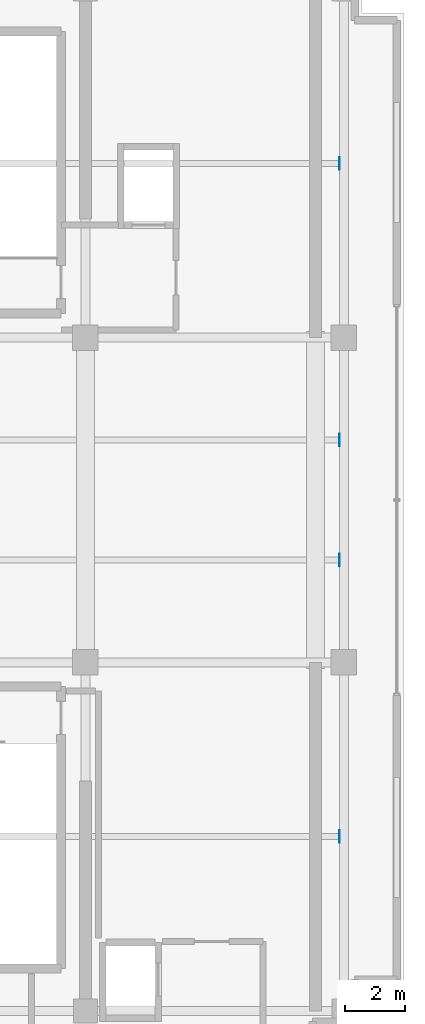
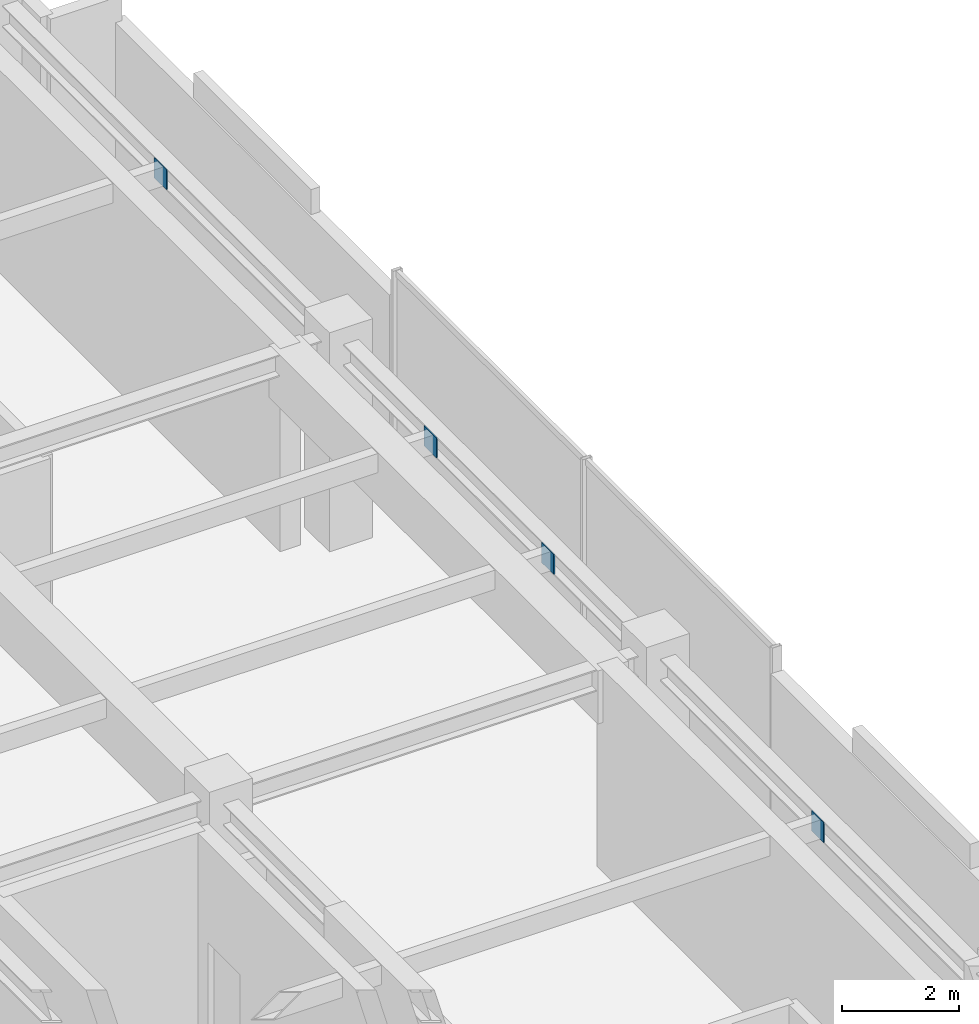
# One storey, part 18 of 21: 4 plates.
"""IFC4 building model written with IfcOpenShell, lengths in metres."""

from ifc_helpers import new_model, si_unit, direction, frame, origin, origin_2d, place, context, subcontext, project, spatial, rectangle, extrude, source, transform, mapped, material, layer, layer_set, type_object, element, save


model = new_model("IFC4")

# Units and contexts
model_context = context("Model", 3, precision=1e-05, world=origin(), true_north=direction((0.0, 1.0)))
body_context = subcontext(model_context, "Body", "Model", "MODEL_VIEW")
ifc_project = project(units=[si_unit("LENGTHUNIT", "METRE"), si_unit("AREAUNIT", "SQUARE_METRE"), si_unit("VOLUMEUNIT", "CUBIC_METRE"), si_unit("PLANEANGLEUNIT", "RADIAN"), si_unit("MASSUNIT", "GRAM", prefix="KILO")], contexts=[model_context])

# Site, building, storey
site_placement = place(None, origin())
site = spatial("IfcSite", under=ifc_project, at=site_placement, CompositionType="ELEMENT")
building_placement = place(site_placement, origin())
building = spatial("IfcBuilding", under=site, at=building_placement, Name="Nahalor Promenade Grand Hotel", CompositionType="ELEMENT")
storey_placement = place(building_placement, frame((0.0, 0.0, 370.85009765625)))
storey = spatial("IfcBuildingStorey", under=building, at=storey_placement, Name="L94", CompositionType="ELEMENT", Elevation=370.85009765625)

# Plates
ifc_material = material(Name="Steel S355JR", Category="steel")
ifc_layer = layer(ifc_material, 0.02001953125)
ifc_layer_set = layer_set([ifc_layer], Name="Steel S355JR")
plate_type = type_object("IfcPlateType", Name="Plate-PurlinCap-20", PredefinedType="USERDEFINED", material=ifc_layer_set)
shared_shape = source(origin(), body_context, "Body", "SweptSolid", [
    extrude(rectangle(XDim=0.419921875, YDim=0.02001953125, at=origin_2d()), origin(), (0.0, 0.0, 1.0), 0.419921875),
])
for number, where, z_axis, x_axis, name in (
    (1, (16.85009765625, -11.199951171875, 3.7900390625), (0.0, 0.0, 1.0), (0.0, 1.0, 0.0), "PL-RFPURL-A0-1"),
    (2, (16.85009765625, -2.0, 3.7900390625), (0.0, 0.0, 1.0), (0.0, 1.0, 0.0), "PL-RFPURL-A1-1"),
    (3, (16.85009765625, 2.0, 3.7900390625), (0.0, 0.0, 1.0), (0.0, 1.0, 0.0), "PL-RFPURL-A2-1"),
    (4, (16.85009765625, 11.199951171875, 3.7900390625), (0.0, 0.0, 1.0), (0.0, 1.0, 0.0), "PL-RFPURL-A3-1"),
):
    element("IfcPlate", number, at=place(storey_placement, frame(where, z_axis=z_axis, x_axis=x_axis)), inside=storey, type_object=plate_type, Name=name, ObjectType="CAP_PLATE", PredefinedType="USERDEFINED", context=body_context, shape_type="MappedRepresentation", body=[
        mapped(shared_shape, transform((0.0, 0.0, 0.0), scale=1.0)),
    ])

save(model, "model.ifc")
